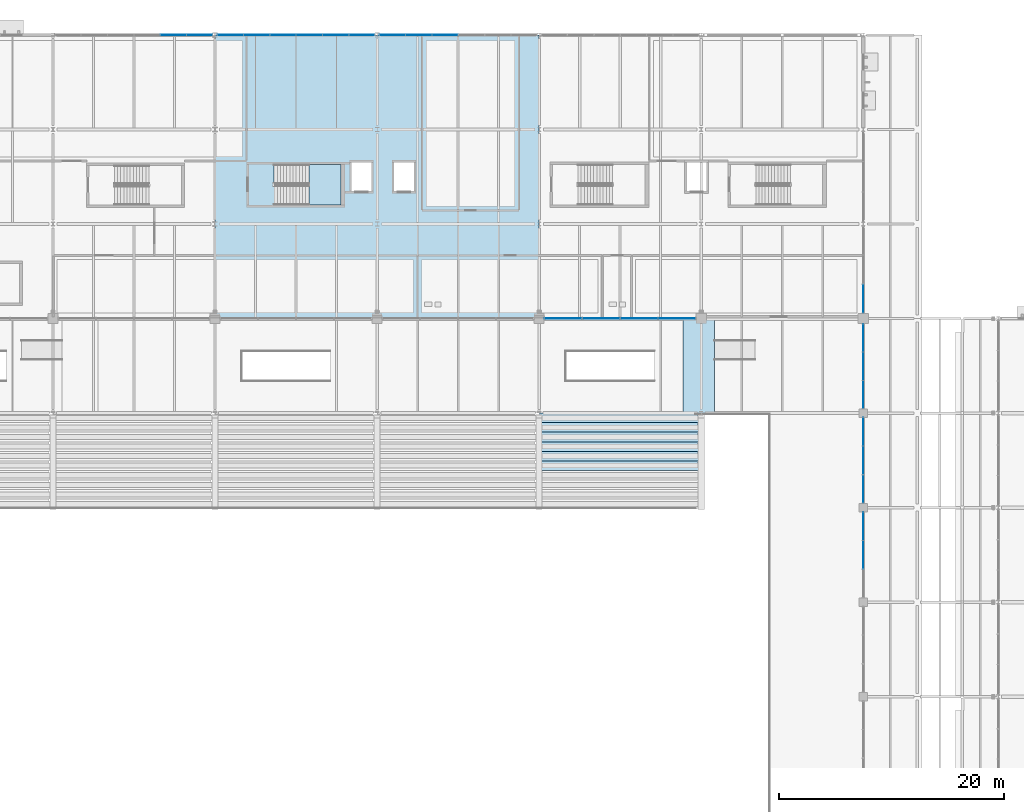
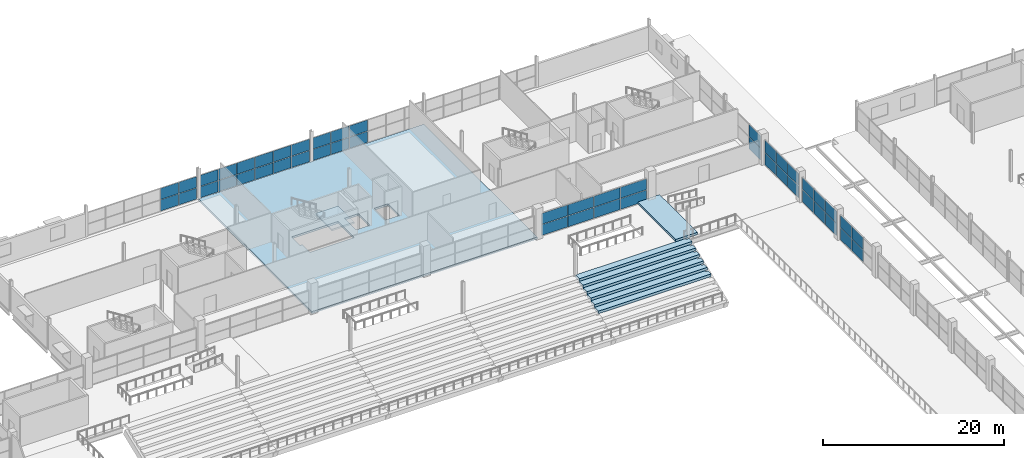
# One storey, part 128 of 161: 48 plates, 9 slabs, 9 elements without a shape of their own.
"""IFC4 building model written with IfcOpenShell, lengths in metres."""

from ifc_helpers import new_model, si_unit, direction, frame, origin, origin_2d, place, context, subcontext, project, spatial, polyline, rectangle, outline, extrude, material, layer, layer_set, type_object, element, aggregate, save


model = new_model("IFC4")

# Units and contexts
model_context = context("Model", 3, precision=1e-05, world=origin(), true_north=direction((0.0, 1.0)))
body_context = subcontext(model_context, "Body", "Model", "MODEL_VIEW")
ifc_project = project(units=[si_unit("LENGTHUNIT", "METRE"), si_unit("AREAUNIT", "SQUARE_METRE"), si_unit("VOLUMEUNIT", "CUBIC_METRE"), si_unit("PLANEANGLEUNIT", "RADIAN"), si_unit("MASSUNIT", "GRAM", prefix="KILO"), si_unit("THERMODYNAMICTEMPERATUREUNIT", "KELVIN")], contexts=[model_context])

# Site, building, storey
site_placement = place(None, origin())
site = spatial("IfcSite", under=ifc_project, at=site_placement, CompositionType="ELEMENT")
building_placement = place(site_placement, origin())
building = spatial("IfcBuilding", under=site, at=building_placement, Name="Nduvali Passage Aquatics Centre", CompositionType="ELEMENT")
storey_placement = place(building_placement, frame((0.0, 0.0, 4.800048828125)))
storey = spatial("IfcBuildingStorey", under=building, at=storey_placement, Name="L01", CompositionType="ELEMENT", Elevation=4.800048828125)

# Curtain wall, plates
ifc_material_1 = material(Name="Aluminium EN AW-6063 T6", Category="aluminium")
curtain_wall_type_1 = type_object("IfcCurtainWallType", Name="ENV-CW-WELL", PredefinedType="NOTDEFINED", material=ifc_material_1)
curtain_wall_1_placement = place(storey_placement, origin())
curtain_wall_1 = element("IfcCurtainWall", 1, at=curtain_wall_1_placement, inside=storey, type_object=curtain_wall_type_1, Name="L01 North Avenue Fitness CW 100", PredefinedType="NOTDEFINED")
ifc_material_2 = material(Name="Laminated solar-control low-E IGU")
ifc_layer_1 = layer(ifc_material_2, 0.028076171875, Name="Laminated solar-control low-E IGU")
ifc_layer_set_1 = layer_set([ifc_layer_1], Name="Laminated solar-control low-E IGU")
plate_type_1 = type_object("IfcPlateType", Name="ENV-PLT-GLZ28", PredefinedType="CURTAIN_PANEL", material=ifc_layer_set_1)
plate_1_placement = place(storey_placement, frame((64.69970703125, 117.60009765625, 0.06005859375), z_axis=(0.0, 0.0, 1.0), x_axis=(1.0, 0.0, 0.0)))
plate_1 = element("IfcPlate", 2, at=plate_1_placement, type_object=plate_type_1, Name="North Avenue Fitness CW Glazed Panel B5-R1", PredefinedType="CURTAIN_PANEL", context=body_context, shape_type="SweptSolid", body=[
    extrude(rectangle(XDim=2.283447265625, YDim=0.028076171875, at=origin_2d()), origin(), (0.0, 0.0, 1.0), 1.496826171875),
])
plate_2_placement = place(storey_placement, frame((64.69970703125, 117.60009765625, 1.61669921875), z_axis=(0.0, 0.0, 1.0), x_axis=(1.0, 0.0, 0.0)))
plate_2 = element("IfcPlate", 3, at=plate_2_placement, type_object=plate_type_1, Name="North Avenue Fitness CW Glazed Panel B5-R2", PredefinedType="CURTAIN_PANEL", context=body_context, shape_type="SweptSolid", body=[
    extrude(rectangle(XDim=2.283447265625, YDim=0.028076171875, at=origin_2d()), origin(), (0.0, 0.0, 1.0), 1.496826171875),
])
plate_3_placement = place(storey_placement, frame((67.028076171875, 117.60009765625, 0.06005859375), z_axis=(0.0, 0.0, 1.0), x_axis=(1.0, 0.0, 0.0)))
plate_3 = element("IfcPlate", 4, at=plate_3_placement, type_object=plate_type_1, Name="North Avenue Fitness CW Glazed Panel B6-R1", PredefinedType="CURTAIN_PANEL", context=body_context, shape_type="SweptSolid", body=[
    extrude(rectangle(XDim=2.25341796875, YDim=0.028076171875, at=origin_2d()), origin(), (0.0, 0.0, 1.0), 1.496826171875),
])
plate_4_placement = place(storey_placement, frame((67.028076171875, 117.60009765625, 1.61669921875), z_axis=(0.0, 0.0, 1.0), x_axis=(1.0, 0.0, 0.0)))
plate_4 = element("IfcPlate", 5, at=plate_4_placement, type_object=plate_type_1, Name="North Avenue Fitness CW Glazed Panel B6-R2", PredefinedType="CURTAIN_PANEL", context=body_context, shape_type="SweptSolid", body=[
    extrude(rectangle(XDim=2.25341796875, YDim=0.028076171875, at=origin_2d()), origin(), (0.0, 0.0, 1.0), 1.496826171875),
])
aggregate(curtain_wall_1, [plate_1, plate_2, plate_3, plate_4])

curtain_wall_2_placement = place(storey_placement, origin())
curtain_wall_2 = element("IfcCurtainWall", 6, at=curtain_wall_2_placement, inside=storey, type_object=curtain_wall_type_1, Name="L01 North Avenue Fitness CW 103", PredefinedType="NOTDEFINED")
plate_5_placement = place(storey_placement, frame((69.769287109375, 117.60009765625, 0.06005859375), z_axis=(0.0, 0.0, 1.0), x_axis=(1.0, 0.0, 0.0)))
plate_5 = element("IfcPlate", 7, at=plate_5_placement, type_object=plate_type_1, Name="North Avenue Fitness CW Glazed Panel B1-R1", PredefinedType="CURTAIN_PANEL", context=body_context, shape_type="SweptSolid", body=[
    extrude(rectangle(XDim=2.248291015625, YDim=0.028076171875, at=origin_2d()), origin(), (0.0, 0.0, 1.0), 1.496826171875),
])
plate_6_placement = place(storey_placement, frame((69.769287109375, 117.60009765625, 1.61669921875), z_axis=(0.0, 0.0, 1.0), x_axis=(1.0, 0.0, 0.0)))
plate_6 = element("IfcPlate", 8, at=plate_6_placement, type_object=plate_type_1, Name="North Avenue Fitness CW Glazed Panel B1-R2", PredefinedType="CURTAIN_PANEL", context=body_context, shape_type="SweptSolid", body=[
    extrude(rectangle(XDim=2.248291015625, YDim=0.028076171875, at=origin_2d()), origin(), (0.0, 0.0, 1.0), 1.496826171875),
])
plate_7_placement = place(storey_placement, frame((72.092529296875, 117.60009765625, 0.06005859375), z_axis=(0.0, 0.0, 1.0), x_axis=(1.0, 0.0, 0.0)))
plate_7 = element("IfcPlate", 9, at=plate_7_placement, type_object=plate_type_1, Name="North Avenue Fitness CW Glazed Panel B2-R1", PredefinedType="CURTAIN_PANEL", context=body_context, shape_type="SweptSolid", body=[
    extrude(rectangle(XDim=2.2783203125, YDim=0.028076171875, at=origin_2d()), origin(), (0.0, 0.0, 1.0), 1.496826171875),
])
plate_8_placement = place(storey_placement, frame((72.092529296875, 117.60009765625, 1.61669921875), z_axis=(0.0, 0.0, 1.0), x_axis=(1.0, 0.0, 0.0)))
plate_8 = element("IfcPlate", 10, at=plate_8_placement, type_object=plate_type_1, Name="North Avenue Fitness CW Glazed Panel B2-R2", PredefinedType="CURTAIN_PANEL", context=body_context, shape_type="SweptSolid", body=[
    extrude(rectangle(XDim=2.2783203125, YDim=0.028076171875, at=origin_2d()), origin(), (0.0, 0.0, 1.0), 1.496826171875),
])
plate_9_placement = place(storey_placement, frame((74.430908203125, 117.60009765625, 0.06005859375), z_axis=(0.0, 0.0, 1.0), x_axis=(1.0, 0.0, 0.0)))
plate_9 = element("IfcPlate", 11, at=plate_9_placement, type_object=plate_type_1, Name="North Avenue Fitness CW Glazed Panel B3-R1", PredefinedType="CURTAIN_PANEL", context=body_context, shape_type="SweptSolid", body=[
    extrude(rectangle(XDim=2.2783203125, YDim=0.028076171875, at=origin_2d()), origin(), (0.0, 0.0, 1.0), 1.496826171875),
])
plate_10_placement = place(storey_placement, frame((74.430908203125, 117.60009765625, 1.61669921875), z_axis=(0.0, 0.0, 1.0), x_axis=(1.0, 0.0, 0.0)))
plate_10 = element("IfcPlate", 12, at=plate_10_placement, type_object=plate_type_1, Name="North Avenue Fitness CW Glazed Panel B3-R2", PredefinedType="CURTAIN_PANEL", context=body_context, shape_type="SweptSolid", body=[
    extrude(rectangle(XDim=2.2783203125, YDim=0.028076171875, at=origin_2d()), origin(), (0.0, 0.0, 1.0), 1.496826171875),
])
plate_11_placement = place(storey_placement, frame((76.76904296875, 117.60009765625, 0.06005859375), z_axis=(0.0, 0.0, 1.0), x_axis=(1.0, 0.0, 0.0)))
plate_11 = element("IfcPlate", 13, at=plate_11_placement, type_object=plate_type_1, Name="North Avenue Fitness CW Glazed Panel B4-R1", PredefinedType="CURTAIN_PANEL", context=body_context, shape_type="SweptSolid", body=[
    extrude(rectangle(XDim=2.2783203125, YDim=0.028076171875, at=origin_2d()), origin(), (0.0, 0.0, 1.0), 1.496826171875),
])
plate_12_placement = place(storey_placement, frame((76.76904296875, 117.60009765625, 1.61669921875), z_axis=(0.0, 0.0, 1.0), x_axis=(1.0, 0.0, 0.0)))
plate_12 = element("IfcPlate", 14, at=plate_12_placement, type_object=plate_type_1, Name="North Avenue Fitness CW Glazed Panel B4-R2", PredefinedType="CURTAIN_PANEL", context=body_context, shape_type="SweptSolid", body=[
    extrude(rectangle(XDim=2.2783203125, YDim=0.028076171875, at=origin_2d()), origin(), (0.0, 0.0, 1.0), 1.496826171875),
])
plate_13_placement = place(storey_placement, frame((79.107421875, 117.60009765625, 0.06005859375), z_axis=(0.0, 0.0, 1.0), x_axis=(1.0, 0.0, 0.0)))
plate_13 = element("IfcPlate", 15, at=plate_13_placement, type_object=plate_type_1, Name="North Avenue Fitness CW Glazed Panel B5-R1", PredefinedType="CURTAIN_PANEL", context=body_context, shape_type="SweptSolid", body=[
    extrude(rectangle(XDim=2.2783203125, YDim=0.028076171875, at=origin_2d()), origin(), (0.0, 0.0, 1.0), 1.496826171875),
])
plate_14_placement = place(storey_placement, frame((79.107421875, 117.60009765625, 1.61669921875), z_axis=(0.0, 0.0, 1.0), x_axis=(1.0, 0.0, 0.0)))
plate_14 = element("IfcPlate", 16, at=plate_14_placement, type_object=plate_type_1, Name="North Avenue Fitness CW Glazed Panel B5-R2", PredefinedType="CURTAIN_PANEL", context=body_context, shape_type="SweptSolid", body=[
    extrude(rectangle(XDim=2.2783203125, YDim=0.028076171875, at=origin_2d()), origin(), (0.0, 0.0, 1.0), 1.496826171875),
])
plate_15_placement = place(storey_placement, frame((81.4306640625, 117.60009765625, 0.06005859375), z_axis=(0.0, 0.0, 1.0), x_axis=(1.0, 0.0, 0.0)))
plate_15 = element("IfcPlate", 17, at=plate_15_placement, type_object=plate_type_1, Name="North Avenue Fitness CW Glazed Panel B6-R1", PredefinedType="CURTAIN_PANEL", context=body_context, shape_type="SweptSolid", body=[
    extrude(rectangle(XDim=2.248291015625, YDim=0.028076171875, at=origin_2d()), origin(), (0.0, 0.0, 1.0), 1.496826171875),
])
plate_16_placement = place(storey_placement, frame((81.4306640625, 117.60009765625, 1.61669921875), z_axis=(0.0, 0.0, 1.0), x_axis=(1.0, 0.0, 0.0)))
plate_16 = element("IfcPlate", 18, at=plate_16_placement, type_object=plate_type_1, Name="North Avenue Fitness CW Glazed Panel B6-R2", PredefinedType="CURTAIN_PANEL", context=body_context, shape_type="SweptSolid", body=[
    extrude(rectangle(XDim=2.248291015625, YDim=0.028076171875, at=origin_2d()), origin(), (0.0, 0.0, 1.0), 1.496826171875),
])
aggregate(curtain_wall_2, [plate_5, plate_6, plate_7, plate_8, plate_9, plate_10, plate_11, plate_12, plate_13, plate_14, plate_15, plate_16])

curtain_wall_3_placement = place(storey_placement, origin())
curtain_wall_3 = element("IfcCurtainWall", 19, at=curtain_wall_3_placement, inside=storey, type_object=curtain_wall_type_1, Name="L01 North Avenue Fitness CW 108", PredefinedType="NOTDEFINED")
plate_17_placement = place(storey_placement, frame((84.171875, 117.60009765625, 0.06005859375), z_axis=(0.0, 0.0, 1.0), x_axis=(1.0, 0.0, 0.0)))
plate_17 = element("IfcPlate", 20, at=plate_17_placement, type_object=plate_type_1, Name="North Avenue Fitness CW Glazed Panel B1-R1", PredefinedType="CURTAIN_PANEL", context=body_context, shape_type="SweptSolid", body=[
    extrude(rectangle(XDim=2.25341796875, YDim=0.028076171875, at=origin_2d()), origin(), (0.0, 0.0, 1.0), 1.496826171875),
])
plate_18_placement = place(storey_placement, frame((84.171875, 117.60009765625, 1.61669921875), z_axis=(0.0, 0.0, 1.0), x_axis=(1.0, 0.0, 0.0)))
plate_18 = element("IfcPlate", 21, at=plate_18_placement, type_object=plate_type_1, Name="North Avenue Fitness CW Glazed Panel B1-R2", PredefinedType="CURTAIN_PANEL", context=body_context, shape_type="SweptSolid", body=[
    extrude(rectangle(XDim=2.25341796875, YDim=0.028076171875, at=origin_2d()), origin(), (0.0, 0.0, 1.0), 1.496826171875),
])
plate_19_placement = place(storey_placement, frame((86.500244140625, 117.60009765625, 0.06005859375), z_axis=(0.0, 0.0, 1.0), x_axis=(1.0, 0.0, 0.0)))
plate_19 = element("IfcPlate", 22, at=plate_19_placement, type_object=plate_type_1, Name="North Avenue Fitness CW Glazed Panel B2-R1", PredefinedType="CURTAIN_PANEL", context=body_context, shape_type="SweptSolid", body=[
    extrude(rectangle(XDim=2.283447265625, YDim=0.028076171875, at=origin_2d()), origin(), (0.0, 0.0, 1.0), 1.496826171875),
])
plate_20_placement = place(storey_placement, frame((86.500244140625, 117.60009765625, 1.61669921875), z_axis=(0.0, 0.0, 1.0), x_axis=(1.0, 0.0, 0.0)))
plate_20 = element("IfcPlate", 23, at=plate_20_placement, type_object=plate_type_1, Name="North Avenue Fitness CW Glazed Panel B2-R2", PredefinedType="CURTAIN_PANEL", context=body_context, shape_type="SweptSolid", body=[
    extrude(rectangle(XDim=2.283447265625, YDim=0.028076171875, at=origin_2d()), origin(), (0.0, 0.0, 1.0), 1.496826171875),
])
plate_21_placement = place(storey_placement, frame((88.843505859375, 117.60009765625, 0.06005859375), z_axis=(0.0, 0.0, 1.0), x_axis=(1.0, 0.0, 0.0)))
plate_21 = element("IfcPlate", 24, at=plate_21_placement, type_object=plate_type_1, Name="North Avenue Fitness CW Glazed Panel B3-R1", PredefinedType="CURTAIN_PANEL", context=body_context, shape_type="SweptSolid", body=[
    extrude(rectangle(XDim=2.283447265625, YDim=0.028076171875, at=origin_2d()), origin(), (0.0, 0.0, 1.0), 1.496826171875),
])
plate_22_placement = place(storey_placement, frame((88.843505859375, 117.60009765625, 1.61669921875), z_axis=(0.0, 0.0, 1.0), x_axis=(1.0, 0.0, 0.0)))
plate_22 = element("IfcPlate", 25, at=plate_22_placement, type_object=plate_type_1, Name="North Avenue Fitness CW Glazed Panel B3-R2", PredefinedType="CURTAIN_PANEL", context=body_context, shape_type="SweptSolid", body=[
    extrude(rectangle(XDim=2.283447265625, YDim=0.028076171875, at=origin_2d()), origin(), (0.0, 0.0, 1.0), 1.496826171875),
])
aggregate(curtain_wall_3, [plate_17, plate_18, plate_19, plate_20, plate_21, plate_22])

curtain_wall_type_2 = type_object("IfcCurtainWallType", Name="ENV-CW-PASS", PredefinedType="NOTDEFINED", material=ifc_material_1)
curtain_wall_4_placement = place(storey_placement, origin())
curtain_wall_4 = element("IfcCurtainWall", 26, at=curtain_wall_4_placement, inside=storey, type_object=curtain_wall_type_2, Name="L01 East Passage Fitness CW 117", PredefinedType="NOTDEFINED")
plate_23_placement = place(storey_placement, frame((126.0, 94.163330078125, 0.06005859375), z_axis=(0.0, 0.0, 1.0), x_axis=(0.0, 1.0, 0.0)))
plate_23 = element("IfcPlate", 27, at=plate_23_placement, type_object=plate_type_1, Name="East Passage Fitness CW Glazed Panel B1-R1", PredefinedType="CURTAIN_PANEL", context=body_context, shape_type="SweptSolid", body=[
    extrude(rectangle(XDim=2.506591796875, YDim=0.028076171875, at=origin_2d()), origin(), (0.0, 0.0, 1.0), 1.6083984375),
])
plate_24_placement = place(storey_placement, frame((126.0, 94.163330078125, 1.728271484375), z_axis=(0.0, 0.0, 1.0), x_axis=(0.0, 1.0, 0.0)))
plate_24 = element("IfcPlate", 28, at=plate_24_placement, type_object=plate_type_1, Name="East Passage Fitness CW Glazed Panel B1-R2", PredefinedType="CURTAIN_PANEL", context=body_context, shape_type="SweptSolid", body=[
    extrude(rectangle(XDim=2.506591796875, YDim=0.028076171875, at=origin_2d()), origin(), (0.0, 0.0, 1.0), 1.6083984375),
])
aggregate(curtain_wall_4, [plate_23, plate_24])

curtain_wall_type_3 = type_object("IfcCurtainWallType", Name="ENV-CW-HALL", PredefinedType="NOTDEFINED", material=ifc_material_1)
curtain_wall_5_placement = place(storey_placement, origin())
curtain_wall_5 = element("IfcCurtainWall", 29, at=curtain_wall_5_placement, inside=storey, type_object=curtain_wall_type_3, Name="L01 East Passage Pool Hall Gallery Glazing 034", PredefinedType="NOTDEFINED")
ifc_layer_2 = layer(ifc_material_2, 0.031982421875, Name="Laminated solar-control low-E IGU")
ifc_layer_set_2 = layer_set([ifc_layer_2], Name="Laminated solar-control low-E IGU")
plate_type_2 = type_object("IfcPlateType", Name="ENV-PLT-GLZ32", PredefinedType="CURTAIN_PANEL", material=ifc_layer_set_2)
plate_25_placement = place(storey_placement, frame((126.0, 71.39990234375, 0.06005859375), z_axis=(0.0, 0.0, 1.0), x_axis=(0.0, 1.0, 0.0)))
plate_25 = element("IfcPlate", 30, at=plate_25_placement, type_object=plate_type_2, Name="East Passage Pool Hall Gallery Glazing Glazed Panel B2-R1", PredefinedType="CURTAIN_PANEL", context=body_context, shape_type="SweptSolid", body=[
    extrude(rectangle(XDim=2.489990234375, YDim=0.031982421875, at=origin_2d()), origin(), (0.0, 0.0, 1.0), 1.6083984375),
])
plate_26_placement = place(storey_placement, frame((126.0, 71.39990234375, 1.728271484375), z_axis=(0.0, 0.0, 1.0), x_axis=(0.0, 1.0, 0.0)))
plate_26 = element("IfcPlate", 31, at=plate_26_placement, type_object=plate_type_2, Name="East Passage Pool Hall Gallery Glazing Glazed Panel B2-R2", PredefinedType="CURTAIN_PANEL", context=body_context, shape_type="SweptSolid", body=[
    extrude(rectangle(XDim=2.489990234375, YDim=0.031982421875, at=origin_2d()), origin(), (0.0, 0.0, 1.0), 1.6083984375),
])
plate_27_placement = place(storey_placement, frame((126.0, 73.93505859375, 0.06005859375), z_axis=(0.0, 0.0, 1.0), x_axis=(0.0, 1.0, 0.0)))
plate_27 = element("IfcPlate", 32, at=plate_27_placement, type_object=plate_type_2, Name="East Passage Pool Hall Gallery Glazing Glazed Panel B3-R1", PredefinedType="CURTAIN_PANEL", context=body_context, shape_type="SweptSolid", body=[
    extrude(rectangle(XDim=2.4599609375, YDim=0.031982421875, at=origin_2d()), origin(), (0.0, 0.0, 1.0), 1.6083984375),
])
plate_28_placement = place(storey_placement, frame((126.0, 73.93505859375, 1.728271484375), z_axis=(0.0, 0.0, 1.0), x_axis=(0.0, 1.0, 0.0)))
plate_28 = element("IfcPlate", 33, at=plate_28_placement, type_object=plate_type_2, Name="East Passage Pool Hall Gallery Glazing Glazed Panel B3-R2", PredefinedType="CURTAIN_PANEL", context=body_context, shape_type="SweptSolid", body=[
    extrude(rectangle(XDim=2.4599609375, YDim=0.031982421875, at=origin_2d()), origin(), (0.0, 0.0, 1.0), 1.6083984375),
])
aggregate(curtain_wall_5, [plate_25, plate_26, plate_27, plate_28])

curtain_wall_6_placement = place(storey_placement, origin())
curtain_wall_6 = element("IfcCurtainWall", 34, at=curtain_wall_6_placement, inside=storey, type_object=curtain_wall_type_3, Name="L01 East Passage Pool Hall Gallery Glazing 038", PredefinedType="NOTDEFINED")
plate_29_placement = place(storey_placement, frame((126.0, 77.264892578125, 0.06005859375), z_axis=(0.0, 0.0, 1.0), x_axis=(0.0, 1.0, 0.0)))
plate_29 = element("IfcPlate", 35, at=plate_29_placement, type_object=plate_type_2, Name="East Passage Pool Hall Gallery Glazing Glazed Panel B1-R1", PredefinedType="CURTAIN_PANEL", context=body_context, shape_type="SweptSolid", body=[
    extrude(rectangle(XDim=2.4599609375, YDim=0.031982421875, at=origin_2d()), origin(), (0.0, 0.0, 1.0), 1.6083984375),
])
plate_30_placement = place(storey_placement, frame((126.0, 77.264892578125, 1.728271484375), z_axis=(0.0, 0.0, 1.0), x_axis=(0.0, 1.0, 0.0)))
plate_30 = element("IfcPlate", 36, at=plate_30_placement, type_object=plate_type_2, Name="East Passage Pool Hall Gallery Glazing Glazed Panel B1-R2", PredefinedType="CURTAIN_PANEL", context=body_context, shape_type="SweptSolid", body=[
    extrude(rectangle(XDim=2.4599609375, YDim=0.031982421875, at=origin_2d()), origin(), (0.0, 0.0, 1.0), 1.6083984375),
])
plate_31_placement = place(storey_placement, frame((126.0, 79.800048828125, 0.06005859375), z_axis=(0.0, 0.0, 1.0), x_axis=(0.0, 1.0, 0.0)))
plate_31 = element("IfcPlate", 37, at=plate_31_placement, type_object=plate_type_2, Name="East Passage Pool Hall Gallery Glazing Glazed Panel B2-R1", PredefinedType="CURTAIN_PANEL", context=body_context, shape_type="SweptSolid", body=[
    extrude(rectangle(XDim=2.489990234375, YDim=0.031982421875, at=origin_2d()), origin(), (0.0, 0.0, 1.0), 1.6083984375),
])
plate_32_placement = place(storey_placement, frame((126.0, 79.800048828125, 1.728271484375), z_axis=(0.0, 0.0, 1.0), x_axis=(0.0, 1.0, 0.0)))
plate_32 = element("IfcPlate", 38, at=plate_32_placement, type_object=plate_type_2, Name="East Passage Pool Hall Gallery Glazing Glazed Panel B2-R2", PredefinedType="CURTAIN_PANEL", context=body_context, shape_type="SweptSolid", body=[
    extrude(rectangle(XDim=2.489990234375, YDim=0.031982421875, at=origin_2d()), origin(), (0.0, 0.0, 1.0), 1.6083984375),
])
plate_33_placement = place(storey_placement, frame((126.0, 82.3349609375, 0.06005859375), z_axis=(0.0, 0.0, 1.0), x_axis=(0.0, 1.0, 0.0)))
plate_33 = element("IfcPlate", 39, at=plate_33_placement, type_object=plate_type_2, Name="East Passage Pool Hall Gallery Glazing Glazed Panel B3-R1", PredefinedType="CURTAIN_PANEL", context=body_context, shape_type="SweptSolid", body=[
    extrude(rectangle(XDim=2.4599609375, YDim=0.031982421875, at=origin_2d()), origin(), (0.0, 0.0, 1.0), 1.6083984375),
])
plate_34_placement = place(storey_placement, frame((126.0, 82.3349609375, 1.728271484375), z_axis=(0.0, 0.0, 1.0), x_axis=(0.0, 1.0, 0.0)))
plate_34 = element("IfcPlate", 40, at=plate_34_placement, type_object=plate_type_2, Name="East Passage Pool Hall Gallery Glazing Glazed Panel B3-R2", PredefinedType="CURTAIN_PANEL", context=body_context, shape_type="SweptSolid", body=[
    extrude(rectangle(XDim=2.4599609375, YDim=0.031982421875, at=origin_2d()), origin(), (0.0, 0.0, 1.0), 1.6083984375),
])
aggregate(curtain_wall_6, [plate_29, plate_30, plate_31, plate_32, plate_33, plate_34])

curtain_wall_7_placement = place(storey_placement, origin())
curtain_wall_7 = element("IfcCurtainWall", 41, at=curtain_wall_7_placement, inside=storey, type_object=curtain_wall_type_3, Name="L01 East Passage Pool Hall Gallery Glazing 041", PredefinedType="NOTDEFINED")
plate_35_placement = place(storey_placement, frame((126.0, 85.652587890625, 0.06005859375), z_axis=(0.0, 0.0, 1.0), x_axis=(0.0, 1.0, 0.0)))
plate_35 = element("IfcPlate", 42, at=plate_35_placement, type_object=plate_type_2, Name="East Passage Pool Hall Gallery Glazing Glazed Panel B1-R1", PredefinedType="CURTAIN_PANEL", context=body_context, shape_type="SweptSolid", body=[
    extrude(rectangle(XDim=2.43505859375, YDim=0.031982421875, at=origin_2d()), origin(), (0.0, 0.0, 1.0), 1.6083984375),
])
plate_36_placement = place(storey_placement, frame((126.0, 85.652587890625, 1.728271484375), z_axis=(0.0, 0.0, 1.0), x_axis=(0.0, 1.0, 0.0)))
plate_36 = element("IfcPlate", 43, at=plate_36_placement, type_object=plate_type_2, Name="East Passage Pool Hall Gallery Glazing Glazed Panel B1-R2", PredefinedType="CURTAIN_PANEL", context=body_context, shape_type="SweptSolid", body=[
    extrude(rectangle(XDim=2.43505859375, YDim=0.031982421875, at=origin_2d()), origin(), (0.0, 0.0, 1.0), 1.6083984375),
])
plate_37_placement = place(storey_placement, frame((126.0, 88.16259765625, 0.06005859375), z_axis=(0.0, 0.0, 1.0), x_axis=(0.0, 1.0, 0.0)))
plate_37 = element("IfcPlate", 44, at=plate_37_placement, type_object=plate_type_2, Name="East Passage Pool Hall Gallery Glazing Glazed Panel B2-R1", PredefinedType="CURTAIN_PANEL", context=body_context, shape_type="SweptSolid", body=[
    extrude(rectangle(XDim=2.465087890625, YDim=0.031982421875, at=origin_2d()), origin(), (0.0, 0.0, 1.0), 1.6083984375),
])
plate_38_placement = place(storey_placement, frame((126.0, 88.16259765625, 1.728271484375), z_axis=(0.0, 0.0, 1.0), x_axis=(0.0, 1.0, 0.0)))
plate_38 = element("IfcPlate", 45, at=plate_38_placement, type_object=plate_type_2, Name="East Passage Pool Hall Gallery Glazing Glazed Panel B2-R2", PredefinedType="CURTAIN_PANEL", context=body_context, shape_type="SweptSolid", body=[
    extrude(rectangle(XDim=2.465087890625, YDim=0.031982421875, at=origin_2d()), origin(), (0.0, 0.0, 1.0), 1.6083984375),
])
plate_39_placement = place(storey_placement, frame((126.0, 90.672607421875, 0.06005859375), z_axis=(0.0, 0.0, 1.0), x_axis=(0.0, 1.0, 0.0)))
plate_39 = element("IfcPlate", 46, at=plate_39_placement, type_object=plate_type_2, Name="East Passage Pool Hall Gallery Glazing Glazed Panel B3-R1", PredefinedType="CURTAIN_PANEL", context=body_context, shape_type="SweptSolid", body=[
    extrude(rectangle(XDim=2.43505859375, YDim=0.031982421875, at=origin_2d()), origin(), (0.0, 0.0, 1.0), 1.6083984375),
])
plate_40_placement = place(storey_placement, frame((126.0, 90.672607421875, 1.728271484375), z_axis=(0.0, 0.0, 1.0), x_axis=(0.0, 1.0, 0.0)))
plate_40 = element("IfcPlate", 47, at=plate_40_placement, type_object=plate_type_2, Name="East Passage Pool Hall Gallery Glazing Glazed Panel B3-R2", PredefinedType="CURTAIN_PANEL", context=body_context, shape_type="SweptSolid", body=[
    extrude(rectangle(XDim=2.43505859375, YDim=0.031982421875, at=origin_2d()), origin(), (0.0, 0.0, 1.0), 1.6083984375),
])
aggregate(curtain_wall_7, [plate_35, plate_36, plate_37, plate_38, plate_39, plate_40])

curtain_wall_8_placement = place(storey_placement, origin())
curtain_wall_8 = element("IfcCurtainWall", 48, at=curtain_wall_8_placement, inside=storey, type_object=curtain_wall_type_3, Name="L01 North Pool Hall Concourse CW 065", PredefinedType="NOTDEFINED")
plate_41_placement = place(storey_placement, frame((99.3525390625, 92.39990234375, 0.06005859375), z_axis=(0.0, 0.0, 1.0), x_axis=(1.0, 0.0, 0.0)))
plate_41 = element("IfcPlate", 49, at=plate_41_placement, type_object=plate_type_2, Name="North Pool Hall Concourse CW Glazed Panel B1-R1", PredefinedType="CURTAIN_PANEL", context=body_context, shape_type="SweptSolid", body=[
    extrude(rectangle(XDim=3.284912109375, YDim=0.031982421875, at=origin_2d()), origin(), (0.0, 0.0, 1.0), 1.45751953125),
])
plate_42_placement = place(storey_placement, frame((99.3525390625, 92.39990234375, 1.57763671875), z_axis=(0.0, 0.0, 1.0), x_axis=(1.0, 0.0, 0.0)))
plate_42 = element("IfcPlate", 50, at=plate_42_placement, type_object=plate_type_2, Name="North Pool Hall Concourse CW Glazed Panel B1-R2", PredefinedType="CURTAIN_PANEL", context=body_context, shape_type="SweptSolid", body=[
    extrude(rectangle(XDim=3.284912109375, YDim=0.031982421875, at=origin_2d()), origin(), (0.0, 0.0, 1.0), 1.45751953125),
])
plate_43_placement = place(storey_placement, frame((102.71240234375, 92.39990234375, 0.06005859375), z_axis=(0.0, 0.0, 1.0), x_axis=(1.0, 0.0, 0.0)))
plate_43 = element("IfcPlate", 51, at=plate_43_placement, type_object=plate_type_2, Name="North Pool Hall Concourse CW Glazed Panel B2-R1", PredefinedType="CURTAIN_PANEL", context=body_context, shape_type="SweptSolid", body=[
    extrude(rectangle(XDim=3.31494140625, YDim=0.031982421875, at=origin_2d()), origin(), (0.0, 0.0, 1.0), 1.45751953125),
])
plate_44_placement = place(storey_placement, frame((102.71240234375, 92.39990234375, 1.57763671875), z_axis=(0.0, 0.0, 1.0), x_axis=(1.0, 0.0, 0.0)))
plate_44 = element("IfcPlate", 52, at=plate_44_placement, type_object=plate_type_2, Name="North Pool Hall Concourse CW Glazed Panel B2-R2", PredefinedType="CURTAIN_PANEL", context=body_context, shape_type="SweptSolid", body=[
    extrude(rectangle(XDim=3.31494140625, YDim=0.031982421875, at=origin_2d()), origin(), (0.0, 0.0, 1.0), 1.45751953125),
])
plate_45_placement = place(storey_placement, frame((106.08740234375, 92.39990234375, 0.06005859375), z_axis=(0.0, 0.0, 1.0), x_axis=(1.0, 0.0, 0.0)))
plate_45 = element("IfcPlate", 53, at=plate_45_placement, type_object=plate_type_2, Name="North Pool Hall Concourse CW Glazed Panel B3-R1", PredefinedType="CURTAIN_PANEL", context=body_context, shape_type="SweptSolid", body=[
    extrude(rectangle(XDim=3.31494140625, YDim=0.031982421875, at=origin_2d()), origin(), (0.0, 0.0, 1.0), 1.45751953125),
])
plate_46_placement = place(storey_placement, frame((106.08740234375, 92.39990234375, 1.57763671875), z_axis=(0.0, 0.0, 1.0), x_axis=(1.0, 0.0, 0.0)))
plate_46 = element("IfcPlate", 54, at=plate_46_placement, type_object=plate_type_2, Name="North Pool Hall Concourse CW Glazed Panel B3-R2", PredefinedType="CURTAIN_PANEL", context=body_context, shape_type="SweptSolid", body=[
    extrude(rectangle(XDim=3.31494140625, YDim=0.031982421875, at=origin_2d()), origin(), (0.0, 0.0, 1.0), 1.45751953125),
])
plate_47_placement = place(storey_placement, frame((109.447509765625, 92.39990234375, 0.06005859375), z_axis=(0.0, 0.0, 1.0), x_axis=(1.0, 0.0, 0.0)))
plate_47 = element("IfcPlate", 55, at=plate_47_placement, type_object=plate_type_2, Name="North Pool Hall Concourse CW Glazed Panel B4-R1", PredefinedType="CURTAIN_PANEL", context=body_context, shape_type="SweptSolid", body=[
    extrude(rectangle(XDim=3.284912109375, YDim=0.031982421875, at=origin_2d()), origin(), (0.0, 0.0, 1.0), 1.45751953125),
])
plate_48_placement = place(storey_placement, frame((109.447509765625, 92.39990234375, 1.57763671875), z_axis=(0.0, 0.0, 1.0), x_axis=(1.0, 0.0, 0.0)))
plate_48 = element("IfcPlate", 56, at=plate_48_placement, type_object=plate_type_2, Name="North Pool Hall Concourse CW Glazed Panel B4-R2", PredefinedType="CURTAIN_PANEL", context=body_context, shape_type="SweptSolid", body=[
    extrude(rectangle(XDim=3.284912109375, YDim=0.031982421875, at=origin_2d()), origin(), (0.0, 0.0, 1.0), 1.45751953125),
])
aggregate(curtain_wall_8, [plate_41, plate_42, plate_43, plate_44, plate_45, plate_46, plate_47, plate_48])

# Stair, slab
ifc_material_3 = material(Name="Concrete C40/50", Category="concrete")
stair_type = type_object("IfcStairType", Name="INT-STR-CORE172", PredefinedType="HALF_TURN_STAIR", material=ifc_material_3)
stair_placement = place(storey_placement, origin())
stair = element("IfcStair", 57, at=stair_placement, inside=storey, type_object=stair_type, Name="L01 ST1", PredefinedType="HALF_TURN_STAIR")
ifc_layer_3 = layer(ifc_material_3, 0.219970703125, Name="Concrete C40/50")
ifc_layer_set_3 = layer_set([ifc_layer_3], Name="Concrete C40/50")
slab_type_1 = type_object("IfcSlabType", Name="INT-SLB-LAND170", PredefinedType="LANDING", material=ifc_layer_set_3)
slab_1_placement = place(storey_placement, frame((0.0, 0.0, 1.8798828125)))
slab_1 = element("IfcSlab", 58, at=slab_1_placement, type_object=slab_type_1, Name="ST1 landing 1", PredefinedType="LANDING", context=body_context, shape_type="SweptSolid", body=[
    extrude(outline(polyline([(76.72998046875, 102.5), (79.60009765625, 102.5), (79.60009765625, 106.090087890625), (76.72998046875, 106.090087890625), (76.72998046875, 102.5)])), origin(), (0.0, 0.0, 1.0), 0.219970703125),
])
aggregate(stair, [slab_1])

# Slabs
ifc_layer_4 = layer(ifc_material_3, 0.280029296875, Name="Concrete C40/50")
ifc_layer_set_4 = layer_set([ifc_layer_4], Name="Concrete C40/50")
slab_type_2 = type_object("IfcSlabType", Name="STR-SLB-FLR280", PredefinedType="FLOOR", material=ifc_layer_set_4)
slab_2_placement = place(storey_placement, frame((0.0, 0.0, -0.280029296875)))
element("IfcSlab", 59, at=slab_2_placement, inside=storey, type_object=slab_type_2, Name="L01 Conditioning Gym and Hydrotherapy Floor Slab 2", PredefinedType="FLOOR", context=body_context, shape_type="SweptSolid", body=[
    extrude(outline(polyline([(68.39990234375, 92.449951171875), (97.199951171875, 92.449951171875), (97.199951171875, 117.60009765625), (68.39990234375, 117.60009765625), (68.39990234375, 92.449951171875)]), holes=[polyline([(73.929931640625, 102.5), (79.60009765625, 102.5), (79.60009765625, 106.090087890625), (73.64990234375, 106.090087890625), (73.64990234375, 104.219970703125), (73.929931640625, 104.219970703125), (73.929931640625, 102.5)]), polyline([(80.52001953125, 103.719970703125), (82.280029296875, 103.719970703125), (82.280029296875, 106.280029296875), (80.52001953125, 106.280029296875), (80.52001953125, 103.719970703125)]), polyline([(84.320068359375, 103.719970703125), (86.080078125, 103.719970703125), (86.080078125, 106.280029296875), (84.320068359375, 106.280029296875), (84.320068359375, 103.719970703125)])]), origin(), (0.0, 0.0, 1.0), 0.280029296875),
])
ifc_layer_5 = layer(ifc_material_3, 0.300048828125, Name="Concrete C40/50")
ifc_layer_set_5 = layer_set([ifc_layer_5], Name="Concrete C40/50")
slab_type_3 = type_object("IfcSlabType", Name="STR-SLB-PLINTH300", PredefinedType="FLOOR", material=ifc_layer_set_5)
slab_3_placement = place(storey_placement, origin())
element("IfcSlab", 60, at=slab_3_placement, inside=storey, type_object=slab_type_3, Name="North Stand East Wheelchair Viewing Platform Ramp PR5 Raised Viewing Plinth Slab", PredefinedType="FLOOR", context=body_context, shape_type="SweptSolid", body=[
    extrude(outline(polyline([(110.0, 84.0), (112.800048828125, 84.0), (112.800048828125, 92.39990234375), (110.0, 92.39990234375), (110.0, 84.0)])), origin(), (0.0, 0.0, 1.0), 0.300048828125),
])
ifc_material_4 = material(Name="Precast concrete C40/50", Category="concrete")
ifc_layer_6 = layer(ifc_material_4, 0.360107421875, Name="Precast concrete C40/50")
ifc_layer_set_6 = layer_set([ifc_layer_6], Name="Precast concrete C40/50")
slab_type_4 = type_object("IfcSlabType", Name="STR-SLB-TIER360", PredefinedType="USERDEFINED", material=ifc_layer_set_6)
slab_4_placement = place(storey_placement, frame((0.0, 0.0, -2.16015625)))
element("IfcSlab", 61, at=slab_4_placement, inside=storey, type_object=slab_type_4, Name="Stand North Bay 5 Seating Tier Row 05", ObjectType="SEATING TIER", PredefinedType="USERDEFINED", context=body_context, shape_type="SweptSolid", body=[
    extrude(outline(polyline([(97.199951171875, 78.89990234375), (111.60009765625, 78.89990234375), (111.60009765625, 79.570068359375), (111.25, 79.570068359375), (111.25, 79.75), (97.199951171875, 79.75), (97.199951171875, 78.89990234375)])), origin(), (0.0, 0.0, 1.0), 0.360107421875),
])
slab_5_placement = place(storey_placement, frame((0.0, 0.0, -1.800048828125)))
element("IfcSlab", 62, at=slab_5_placement, inside=storey, type_object=slab_type_4, Name="Stand North Bay 5 Seating Tier Row 06", ObjectType="SEATING TIER", PredefinedType="USERDEFINED", context=body_context, shape_type="SweptSolid", body=[
    extrude(outline(polyline([(97.199951171875, 79.75), (111.60009765625, 79.75), (111.60009765625, 80.419921875), (111.25, 80.419921875), (111.25, 80.60009765625), (97.199951171875, 80.60009765625), (97.199951171875, 79.75)])), origin(), (0.0, 0.0, 1.0), 0.360107421875),
])
slab_6_placement = place(storey_placement, frame((0.0, 0.0, -1.43994140625)))
element("IfcSlab", 63, at=slab_6_placement, inside=storey, type_object=slab_type_4, Name="Stand North Bay 5 Seating Tier Row 07", ObjectType="SEATING TIER", PredefinedType="USERDEFINED", context=body_context, shape_type="SweptSolid", body=[
    extrude(outline(polyline([(97.199951171875, 80.60009765625), (111.60009765625, 80.60009765625), (111.60009765625, 81.27001953125), (111.25, 81.27001953125), (111.25, 81.449951171875), (97.199951171875, 81.449951171875), (97.199951171875, 80.60009765625)])), origin(), (0.0, 0.0, 1.0), 0.35986328125),
])
slab_7_placement = place(storey_placement, frame((0.0, 0.0, -1.080078125)))
element("IfcSlab", 64, at=slab_7_placement, inside=storey, type_object=slab_type_4, Name="Stand North Bay 5 Seating Tier Row 08", ObjectType="SEATING TIER", PredefinedType="USERDEFINED", context=body_context, shape_type="SweptSolid", body=[
    extrude(outline(polyline([(97.199951171875, 81.449951171875), (111.60009765625, 81.449951171875), (111.60009765625, 82.1201171875), (111.25, 82.1201171875), (111.25, 82.300048828125), (97.199951171875, 82.300048828125), (97.199951171875, 81.449951171875)])), origin(), (0.0, 0.0, 1.0), 0.360107421875),
])
slab_8_placement = place(storey_placement, frame((0.0, 0.0, -0.719970703125)))
element("IfcSlab", 65, at=slab_8_placement, inside=storey, type_object=slab_type_4, Name="Stand North Bay 5 Seating Tier Row 09", ObjectType="SEATING TIER", PredefinedType="USERDEFINED", context=body_context, shape_type="SweptSolid", body=[
    extrude(outline(polyline([(97.199951171875, 82.300048828125), (111.60009765625, 82.300048828125), (111.60009765625, 82.969970703125), (111.25, 82.969970703125), (111.25, 83.14990234375), (97.199951171875, 83.14990234375), (97.199951171875, 82.300048828125)])), origin(), (0.0, 0.0, 1.0), 0.35986328125),
])
slab_9_placement = place(storey_placement, frame((0.0, 0.0, -0.360107421875)))
element("IfcSlab", 66, at=slab_9_placement, inside=storey, type_object=slab_type_4, Name="Stand North Bay 5 Seating Tier Row 10", ObjectType="SEATING TIER", PredefinedType="USERDEFINED", context=body_context, shape_type="SweptSolid", body=[
    extrude(outline(polyline([(97.199951171875, 83.14990234375), (111.60009765625, 83.14990234375), (111.60009765625, 83.820068359375), (111.25, 83.820068359375), (111.25, 84.0), (97.199951171875, 84.0), (97.199951171875, 83.14990234375)])), origin(), (0.0, 0.0, 1.0), 0.360107421875),
])

save(model, "model.ifc")
